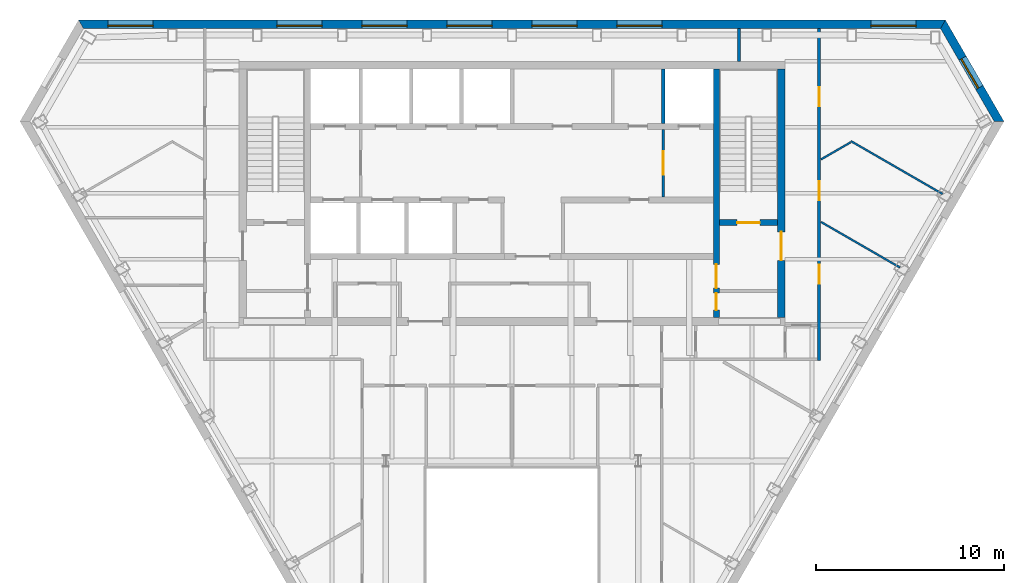
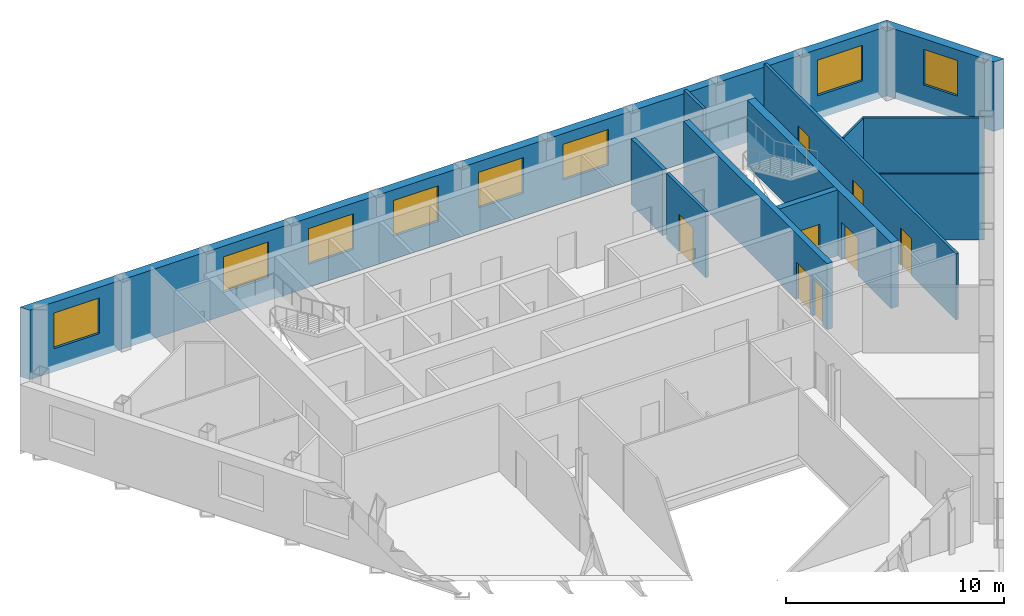
# One storey, part 7 of 10: 12 walls, 8 doors, 8 windows, 16 openings.
"""IFC4 building model written with IfcOpenShell, lengths in metres."""

from ifc_helpers import new_model, si_unit, direction, frame, frame_2d, origin, place, context, subcontext, project, spatial, polyline, rectangle, outline, extrude, material, layer, layer_set, type_object, element, fill, save


model = new_model("IFC4")

# Units and contexts
model_context = context("Model", 3, precision=1e-05, world=origin(), true_north=direction((0.0, 1.0)))
body_context = subcontext(model_context, "Body", "Model", "MODEL_VIEW")
ifc_project = project(units=[si_unit("LENGTHUNIT", "METRE"), si_unit("AREAUNIT", "SQUARE_METRE"), si_unit("VOLUMEUNIT", "CUBIC_METRE"), si_unit("PLANEANGLEUNIT", "RADIAN"), si_unit("MASSUNIT", "GRAM", prefix="KILO")], contexts=[model_context])

# Site, building, storey
site_placement = place(None, origin())
site = spatial("IfcSite", under=ifc_project, at=site_placement, CompositionType="ELEMENT")
building_placement = place(site_placement, origin())
building = spatial("IfcBuilding", under=site, at=building_placement, Name="Njiva Tower", CompositionType="ELEMENT")
storey_placement = place(building_placement, frame((0.0, 0.0, 245.4)))
storey = spatial("IfcBuildingStorey", under=building, at=storey_placement, Name="L55", CompositionType="ELEMENT", Elevation=245.4)

# Wall, openings, doors
ifc_material_1 = material(Name="Concrete C40/50", Category="concrete")
ifc_layer_1 = layer(ifc_material_1, 0.3)
ifc_layer_set_1 = layer_set([ifc_layer_1], Name="Concrete C40/50")
wall_type_1 = type_object("IfcWallType", Name="WT10 Stair enclosure wall 300", PredefinedType="SHEAR", material=ifc_layer_set_1)
wall_1_placement = place(storey_placement, frame((10.85, 4.4, 0.0), z_axis=(0.0, 0.0, 1.0), x_axis=(0.0, 1.0, 0.0)))
wall_1 = element("IfcWall", 1, at=wall_1_placement, inside=storey, type_object=wall_type_1, Name="Stair wall east inner", PredefinedType="SHEAR", context=body_context, shape_type="SweptSolid", body=[
    extrude(rectangle(XDim=13.2, YDim=0.3, at=frame_2d((6.6, 0.0))), origin(), (0.0, 0.0, 1.0), 3.7),
])
opening_1_placement = place(wall_1_placement, frame((1.575, 0.0, 0.0)))
opening_1 = element("IfcOpeningElement", 2, at=opening_1_placement, cuts=wall_1, Name="Opening S18-D920", PredefinedType="OPENING", context=body_context, shape_type="SweptSolid", body=[
    extrude(rectangle(XDim=1.25, YDim=2.1, at=frame_2d((0.625, 1.05))), frame((0.0, 0.16, 0.0), z_axis=(0.0, -1.0, 0.0), x_axis=(1.0, 0.0, 0.0)), (0.0, 0.0, 1.0), 0.32),
])
opening_2_placement = place(wall_1_placement, frame((0.4, 0.0, 0.0)))
opening_2 = element("IfcOpeningElement", 3, at=opening_2_placement, cuts=wall_1, Name="Opening S18-D922", PredefinedType="OPENING", context=body_context, shape_type="SweptSolid", body=[
    extrude(rectangle(XDim=0.9, YDim=2.1, at=frame_2d((0.45, 1.05))), frame((0.0, 0.16, 0.0), z_axis=(0.0, -1.0, 0.0), x_axis=(1.0, 0.0, 0.0)), (0.0, 0.0, 1.0), 0.32),
])
ifc_material_2 = material(Name="Steel door, painted", Category="steel")
door_type_1 = type_object("IfcDoorType", Name="D13 Steel door 900x2100", OperationType="SINGLE_SWING_LEFT", PredefinedType="DOOR", material=ifc_material_2)
door_1_placement = place(opening_2_placement, origin())
door_1 = element("IfcDoor", 4, at=door_1_placement, inside=storey, type_object=door_type_1, Name="Breakout room door", OperationType="SINGLE_SWING_LEFT", OverallHeight=2.1, OverallWidth=0.9, PredefinedType="DOOR", context=body_context, shape_type="SweptSolid", body=[
    extrude(rectangle(XDim=0.9, YDim=2.1, at=frame_2d((0.45, 1.05))), frame((0.0, 0.025, 0.0), z_axis=(0.0, -1.0, 0.0), x_axis=(1.0, 0.0, 0.0)), (0.0, 0.0, 1.0), 0.05),
])
fill(opening_2, door_1)
ifc_material_3 = material(Name="Glazed steel fire door", Category="steel")
door_type_2 = type_object("IfcDoorType", Name="D8 Vestibule corridor door 1250x2100 glazed", OperationType="SINGLE_SWING_LEFT", PredefinedType="DOOR", material=ifc_material_3)
door_2_placement = place(opening_1_placement, origin())
door_2 = element("IfcDoor", 5, at=door_2_placement, inside=storey, type_object=door_type_2, Name="Stair vestibule corridor door", OperationType="SINGLE_SWING_RIGHT", OverallHeight=2.1, OverallWidth=1.25, PredefinedType="DOOR", context=body_context, shape_type="SweptSolid", body=[
    extrude(rectangle(XDim=1.25, YDim=2.1, at=frame_2d((0.625, 1.05))), frame((0.0, 0.025, 0.0), z_axis=(0.0, -1.0, 0.0), x_axis=(1.0, 0.0, 0.0)), (0.0, 0.0, 1.0), 0.05),
])
fill(opening_1, door_2)

# Wall, opening, door
wall_2_placement = place(storey_placement, frame((11.0, 9.45, 0.0), z_axis=(0.0, 0.0, 1.0), x_axis=(1.0, 0.0, 0.0)))
wall_2 = element("IfcWall", 6, at=wall_2_placement, inside=storey, type_object=wall_type_1, Name="Stair B south wall", PredefinedType="SHEAR", context=body_context, shape_type="SweptSolid", body=[
    extrude(rectangle(XDim=3.1, YDim=0.3, at=frame_2d((1.55, 0.0))), origin(), (0.0, 0.0, 1.0), 3.7),
])
opening_3_placement = place(wall_2_placement, frame((0.95, 0.0, 0.0)))
opening_3 = element("IfcOpeningElement", 7, at=opening_3_placement, cuts=wall_2, Name="Opening S18-D919", PredefinedType="OPENING", context=body_context, shape_type="SweptSolid", body=[
    extrude(rectangle(XDim=1.2, YDim=2.1, at=frame_2d((0.6, 1.05))), frame((0.0, 0.16, 0.0), z_axis=(0.0, -1.0, 0.0), x_axis=(1.0, 0.0, 0.0)), (0.0, 0.0, 1.0), 0.32),
])
door_type_3 = type_object("IfcDoorType", Name="D7 Stair vestibule door 1200x2100 glazed", OperationType="SINGLE_SWING_LEFT", PredefinedType="DOOR", material=ifc_material_3)
door_3_placement = place(opening_3_placement, origin())
door_3 = element("IfcDoor", 8, at=door_3_placement, inside=storey, type_object=door_type_3, Name="Stair B door", OperationType="SINGLE_SWING_LEFT", OverallHeight=2.1, OverallWidth=1.2, PredefinedType="DOOR", context=body_context, shape_type="SweptSolid", body=[
    extrude(rectangle(XDim=1.2, YDim=2.1, at=frame_2d((0.6, 1.05))), frame((0.0, 0.025, 0.0), z_axis=(0.0, -1.0, 0.0), x_axis=(1.0, 0.0, 0.0)), (0.0, 0.0, 1.0), 0.05),
])
fill(opening_3, door_3)

ifc_material_4 = material(Name="Concrete C60/75", Category="concrete")
ifc_layer_2 = layer(ifc_material_4, 0.4)
ifc_layer_set_2 = layer_set([ifc_layer_2], Name="Concrete C60/75")
wall_type_2 = type_object("IfcWallType", Name="WT11 Core wall 400", PredefinedType="SHEAR", material=ifc_layer_set_2)
wall_3_placement = place(storey_placement, frame((14.3, 4.4, 0.0), z_axis=(0.0, 0.0, 1.0), x_axis=(0.0, 1.0, 0.0)))
wall_3 = element("IfcWall", 9, at=wall_3_placement, inside=storey, type_object=wall_type_2, Name="Core wall east", PredefinedType="SHEAR", context=body_context, shape_type="SweptSolid", body=[
    extrude(rectangle(XDim=13.2, YDim=0.4, at=frame_2d((6.6, 0.0))), origin(), (0.0, 0.0, 1.0), 3.7),
])
opening_4_placement = place(wall_3_placement, frame((3.05, 0.0, 0.0)))
opening_4 = element("IfcOpeningElement", 10, at=opening_4_placement, cuts=wall_3, Name="Opening S18-D921", PredefinedType="OPENING", context=body_context, shape_type="SweptSolid", body=[
    extrude(rectangle(XDim=1.5, YDim=2.1, at=frame_2d((0.75, 1.05))), frame((0.0, 0.21, 0.0), z_axis=(0.0, -1.0, 0.0), x_axis=(1.0, 0.0, 0.0)), (0.0, 0.0, 1.0), 0.42),
])
door_type_4 = type_object("IfcDoorType", Name="D10 Exit door double 1500x2100 glazed", OperationType="DOUBLE_DOOR_SINGLE_SWING", PredefinedType="DOOR", material=ifc_material_3)
door_4_placement = place(opening_4_placement, origin())
door_4 = element("IfcDoor", 11, at=door_4_placement, inside=storey, type_object=door_type_4, Name="Stair B corridor door", OperationType="DOUBLE_DOOR_SINGLE_SWING", OverallHeight=2.1, OverallWidth=1.5, PredefinedType="DOOR", context=body_context, shape_type="SweptSolid", body=[
    extrude(rectangle(XDim=1.5, YDim=2.1, at=frame_2d((0.75, 1.05))), frame((0.0, 0.025, 0.0), z_axis=(0.0, -1.0, 0.0), x_axis=(1.0, 0.0, 0.0)), (0.0, 0.0, 1.0), 0.05),
])
fill(opening_4, door_4)

ifc_material_5 = material(Name="Blockwork", Category="masonry")
ifc_layer_3 = layer(ifc_material_5, 0.15)
ifc_layer_set_3 = layer_set([ifc_layer_3], Name="Blockwork")
wall_type_3 = type_object("IfcWallType", Name="WT2 Lobby partition 150", PredefinedType="PARTITIONING", material=ifc_layer_set_3)
wall_4_placement = place(storey_placement, frame((8.025, 10.8, 0.0), z_axis=(0.0, 0.0, 1.0), x_axis=(0.0, 1.0, 0.0)))
wall_4 = element("IfcWall", 12, at=wall_4_placement, inside=storey, type_object=wall_type_3, Name="Firefighting lobby wall B", PredefinedType="PARTITIONING", context=body_context, shape_type="SweptSolid", body=[
    extrude(rectangle(XDim=3.6, YDim=0.15, at=frame_2d((1.8, 0.0))), origin(), (0.0, 0.0, 1.0), 3.7),
])
opening_5_placement = place(wall_4_placement, frame((1.175, 0.0, 0.0)))
opening_5 = element("IfcOpeningElement", 13, at=opening_5_placement, cuts=wall_4, Name="Opening S18-D918", PredefinedType="OPENING", context=body_context, shape_type="SweptSolid", body=[
    extrude(rectangle(XDim=1.25, YDim=2.1, at=frame_2d((0.625, 1.05))), frame((0.0, 0.085, 0.0), z_axis=(0.0, -1.0, 0.0), x_axis=(1.0, 0.0, 0.0)), (0.0, 0.0, 1.0), 0.17),
])
door_5_placement = place(opening_5_placement, origin())
door_5 = element("IfcDoor", 14, at=door_5_placement, inside=storey, type_object=door_type_2, Name="Stair vestibule corridor door", OperationType="SINGLE_SWING_LEFT", OverallHeight=2.1, OverallWidth=1.25, PredefinedType="DOOR", context=body_context, shape_type="SweptSolid", body=[
    extrude(rectangle(XDim=1.25, YDim=2.1, at=frame_2d((0.625, 1.05))), frame((0.0, 0.025, 0.0), z_axis=(0.0, -1.0, 0.0), x_axis=(1.0, 0.0, 0.0)), (0.0, 0.0, 1.0), 0.05),
])
fill(opening_5, door_5)

# Walls
ifc_material_6 = material(Name="Gypsum board on steel studs", Category="gypsum")
ifc_layer_4 = layer(ifc_material_6, 0.1)
ifc_layer_set_4 = layer_set([ifc_layer_4], Name="Gypsum board on steel studs")
wall_type_4 = type_object("IfcWallType", Name="WT20 Gypsum partition 100", PredefinedType="PARTITIONING", material=ifc_layer_set_4)
wall_5_placement = place(storey_placement, frame((16.4, 12.803, 0.0), z_axis=(0.0, 0.0, 1.0), x_axis=(0.866341220787, 0.499452589508, 0.0)))
element("IfcWall", 15, at=wall_5_placement, inside=storey, type_object=wall_type_4, Name="Partition S18-P031", PredefinedType="PARTITIONING", context=body_context, shape_type="SweptSolid", body=[
    extrude(rectangle(XDim=1.818, YDim=0.1, at=frame_2d((0.909, 0.0))), origin(), (0.0, 0.0, 1.0), 3.7),
])
wall_6_placement = place(storey_placement, frame((16.4, 9.482, 0.0), z_axis=(0.0, 0.0, 1.0), x_axis=(0.866085797004, -0.499895381282, 0.0)))
element("IfcWall", 16, at=wall_6_placement, inside=storey, type_object=wall_type_4, Name="Partition S18-P032", PredefinedType="PARTITIONING", context=body_context, shape_type="SweptSolid", body=[
    extrude(rectangle(XDim=4.839, YDim=0.1, at=frame_2d((2.4195, 0.0))), origin(), (0.0, 0.0, 1.0), 3.7),
])
wall_7_placement = place(storey_placement, frame((17.991, 13.77, 0.0), z_axis=(0.0, 0.0, 1.0), x_axis=(0.866182615826, -0.499727601839, 0.0)))
element("IfcWall", 17, at=wall_7_placement, inside=storey, type_object=wall_type_4, Name="Partition S18-P033", PredefinedType="PARTITIONING", context=body_context, shape_type="SweptSolid", body=[
    extrude(rectangle(XDim=5.6051, YDim=0.1, at=frame_2d((2.8026, 0.0))), origin(), (0.0, 0.0, 1.0), 3.7),
])
ifc_layer_5 = layer(ifc_material_6, 0.15)
ifc_layer_set_5 = layer_set([ifc_layer_5], Name="Gypsum board on steel studs")
wall_type_5 = type_object("IfcWallType", Name="WT21 Compartment wall 150", PredefinedType="PARTITIONING", material=ifc_layer_set_5)
wall_8_placement = place(storey_placement, frame((12.05, 18.0, 0.0), z_axis=(0.0, 0.0, 1.0), x_axis=(0.0, 1.0, 0.0)))
element("IfcWall", 18, at=wall_8_placement, inside=storey, type_object=wall_type_5, Name="Partition S18-P027", PredefinedType="PARTITIONING", context=body_context, shape_type="SweptSolid", body=[
    extrude(rectangle(XDim=1.75, YDim=0.15, at=frame_2d((0.875, 0.0))), origin(), (0.0, 0.0, 1.0), 3.7),
])

# Wall, openings, doors
wall_9_placement = place(storey_placement, frame((16.3, 2.125, 0.0), z_axis=(0.0, 0.0, 1.0), x_axis=(0.0, 1.0, 0.0)))
wall_9 = element("IfcWall", 19, at=wall_9_placement, inside=storey, type_object=wall_type_5, Name="Partition S18-P030", PredefinedType="PARTITIONING", context=body_context, shape_type="SweptSolid", body=[
    extrude(rectangle(XDim=17.622, YDim=0.15, at=frame_2d((8.811, 0.0))), origin(), (0.0, 0.0, 1.0), 3.7),
])
opening_6_placement = place(wall_9_placement, frame((4.088, 0.0, 0.0)))
opening_6 = element("IfcOpeningElement", 20, at=opening_6_placement, cuts=wall_9, Name="Opening S18-D020", PredefinedType="OPENING", context=body_context, shape_type="SweptSolid", body=[
    extrude(rectangle(XDim=1.0, YDim=2.1, at=frame_2d((0.5, 1.05))), frame((0.0, 0.085, 0.0), z_axis=(0.0, -1.0, 0.0), x_axis=(1.0, 0.0, 0.0)), (0.0, 0.0, 1.0), 0.17),
])
opening_7_placement = place(wall_9_placement, frame((8.517, 0.0, 0.0)))
opening_7 = element("IfcOpeningElement", 21, at=opening_7_placement, cuts=wall_9, Name="Opening S18-D021", PredefinedType="OPENING", context=body_context, shape_type="SweptSolid", body=[
    extrude(rectangle(XDim=1.0, YDim=2.1, at=frame_2d((0.5, 1.05))), frame((0.0, 0.085, 0.0), z_axis=(0.0, -1.0, 0.0), x_axis=(1.0, 0.0, 0.0)), (0.0, 0.0, 1.0), 0.17),
])
opening_8_placement = place(wall_9_placement, frame((13.496, 0.0, 0.0)))
opening_8 = element("IfcOpeningElement", 22, at=opening_8_placement, cuts=wall_9, Name="Opening S18-D022", PredefinedType="OPENING", context=body_context, shape_type="SweptSolid", body=[
    extrude(rectangle(XDim=1.0, YDim=2.1, at=frame_2d((0.5, 1.05))), frame((0.0, 0.085, 0.0), z_axis=(0.0, -1.0, 0.0), x_axis=(1.0, 0.0, 0.0)), (0.0, 0.0, 1.0), 0.17),
])
ifc_material_7 = material(Name="Steel fire door set", Category="steel")
door_type_5 = type_object("IfcDoorType", Name="D37 Fire door 1000x2100", OperationType="SINGLE_SWING_LEFT", PredefinedType="DOOR", material=ifc_material_7)
door_6_placement = place(opening_6_placement, origin())
door_6 = element("IfcDoor", 23, at=door_6_placement, inside=storey, type_object=door_type_5, Name="Door S18-D020", OperationType="SINGLE_SWING_LEFT", OverallHeight=2.1, OverallWidth=1.0, PredefinedType="DOOR", context=body_context, shape_type="SweptSolid", body=[
    extrude(rectangle(XDim=1.0, YDim=2.1, at=frame_2d((0.5, 1.05))), frame((0.0, 0.025, 0.0), z_axis=(0.0, -1.0, 0.0), x_axis=(1.0, 0.0, 0.0)), (0.0, 0.0, 1.0), 0.05),
])
fill(opening_6, door_6)
door_7_placement = place(opening_7_placement, origin())
door_7 = element("IfcDoor", 24, at=door_7_placement, inside=storey, type_object=door_type_5, Name="Door S18-D021", OperationType="SINGLE_SWING_RIGHT", OverallHeight=2.1, OverallWidth=1.0, PredefinedType="DOOR", context=body_context, shape_type="SweptSolid", body=[
    extrude(rectangle(XDim=1.0, YDim=2.1, at=frame_2d((0.5, 1.05))), frame((0.0, 0.025, 0.0), z_axis=(0.0, -1.0, 0.0), x_axis=(1.0, 0.0, 0.0)), (0.0, 0.0, 1.0), 0.05),
])
fill(opening_7, door_7)
door_8_placement = place(opening_8_placement, origin())
door_8 = element("IfcDoor", 25, at=door_8_placement, inside=storey, type_object=door_type_5, Name="Door S18-D022", OperationType="SINGLE_SWING_RIGHT", OverallHeight=2.1, OverallWidth=1.0, PredefinedType="DOOR", context=body_context, shape_type="SweptSolid", body=[
    extrude(rectangle(XDim=1.0, YDim=2.1, at=frame_2d((0.5, 1.05))), frame((0.0, 0.025, 0.0), z_axis=(0.0, -1.0, 0.0), x_axis=(1.0, 0.0, 0.0)), (0.0, 0.0, 1.0), 0.05),
])
fill(opening_8, door_8)

# Wall
ifc_layer_6 = layer(ifc_material_1, 0.2)
ifc_layer_set_6 = layer_set([ifc_layer_6], Name="Concrete C40/50")
wall_type_6 = type_object("IfcWallType", Name="WT6 Lift shaft wall 200", PredefinedType="SHEAR", material=ifc_layer_set_6)
wall_10_placement = place(storey_placement, frame((8.025, 14.7, 0.0), z_axis=(0.0, 0.0, 1.0), x_axis=(0.0, 1.0, 0.0)))
element("IfcWall", 26, at=wall_10_placement, inside=storey, type_object=wall_type_6, Name="Shaft wall CN7", PredefinedType="SHEAR", context=body_context, shape_type="SweptSolid", body=[
    extrude(rectangle(XDim=2.9, YDim=0.2, at=frame_2d((1.45, 0.0))), origin(), (0.0, 0.0, 1.0), 3.7),
])

# Wall, openings, windows
ifc_material_8 = material(Name="Brick masonry", Category="masonry")
ifc_layer_7 = layer(ifc_material_8, 0.45)
ifc_layer_set_7 = layer_set([ifc_layer_7], Name="Brick masonry")
wall_type_7 = type_object("IfcWallType", Name="WT90 Brick pier and spandrel wall 450", PredefinedType="SOLIDWALL", material=ifc_layer_set_7)
wall_11_placement = place(storey_placement, frame((22.8751, 19.975, -0.4), z_axis=(0.0, 0.0, 1.0), x_axis=(-1.0, 0.0, 0.0)))
wall_11 = element("IfcWall", 27, at=wall_11_placement, inside=storey, type_object=wall_type_7, Name="Facade wall N", PredefinedType="SOLIDWALL", context=body_context, shape_type="SweptSolid", body=[
    extrude(outline(polyline([(-0.1299, -0.225), (45.8801, -0.225), (45.6203, 0.225), (0.1299, 0.225), (-0.1299, -0.225)])), origin(), (0.0, 0.0, 1.0), 3.9),
])
opening_9_placement = place(wall_11_placement, frame((1.4247, 0.0, 1.3)))
opening_9 = element("IfcOpeningElement", 28, at=opening_9_placement, cuts=wall_11, Name="Opening S18-W01", PredefinedType="OPENING", context=body_context, shape_type="SweptSolid", body=[
    extrude(rectangle(XDim=2.4, YDim=2.0, at=frame_2d((1.2, 1.0))), frame((0.0, 0.235, 0.0), z_axis=(0.0, -1.0, 0.0), x_axis=(1.0, 0.0, 0.0)), (0.0, 0.0, 1.0), 0.47),
])
opening_10_placement = place(wall_11_placement, frame((14.9122, 0.0, 1.3)))
opening_10 = element("IfcOpeningElement", 29, at=opening_10_placement, cuts=wall_11, Name="Opening S18-W02", PredefinedType="OPENING", context=body_context, shape_type="SweptSolid", body=[
    extrude(rectangle(XDim=2.4, YDim=2.0, at=frame_2d((1.2, 1.0))), frame((0.0, 0.235, 0.0), z_axis=(0.0, -1.0, 0.0), x_axis=(1.0, 0.0, 0.0)), (0.0, 0.0, 1.0), 0.47),
])
opening_11_placement = place(wall_11_placement, frame((19.4208, 0.0, 1.3)))
opening_11 = element("IfcOpeningElement", 30, at=opening_11_placement, cuts=wall_11, Name="Opening S18-W03", PredefinedType="OPENING", context=body_context, shape_type="SweptSolid", body=[
    extrude(rectangle(XDim=2.4, YDim=2.0, at=frame_2d((1.2, 1.0))), frame((0.0, 0.235, 0.0), z_axis=(0.0, -1.0, 0.0), x_axis=(1.0, 0.0, 0.0)), (0.0, 0.0, 1.0), 0.47),
])
opening_12_placement = place(wall_11_placement, frame((23.9294, 0.0, 1.3)))
opening_12 = element("IfcOpeningElement", 31, at=opening_12_placement, cuts=wall_11, Name="Opening S18-W04", PredefinedType="OPENING", context=body_context, shape_type="SweptSolid", body=[
    extrude(rectangle(XDim=2.4, YDim=2.0, at=frame_2d((1.2, 1.0))), frame((0.0, 0.235, 0.0), z_axis=(0.0, -1.0, 0.0), x_axis=(1.0, 0.0, 0.0)), (0.0, 0.0, 1.0), 0.47),
])
opening_13_placement = place(wall_11_placement, frame((28.438, 0.0, 1.3)))
opening_13 = element("IfcOpeningElement", 32, at=opening_13_placement, cuts=wall_11, Name="Opening S18-W05", PredefinedType="OPENING", context=body_context, shape_type="SweptSolid", body=[
    extrude(rectangle(XDim=2.4, YDim=2.0, at=frame_2d((1.2, 1.0))), frame((0.0, 0.235, 0.0), z_axis=(0.0, -1.0, 0.0), x_axis=(1.0, 0.0, 0.0)), (0.0, 0.0, 1.0), 0.47),
])
opening_14_placement = place(wall_11_placement, frame((32.9466, 0.0, 1.3)))
opening_14 = element("IfcOpeningElement", 33, at=opening_14_placement, cuts=wall_11, Name="Opening S18-W06", PredefinedType="OPENING", context=body_context, shape_type="SweptSolid", body=[
    extrude(rectangle(XDim=2.4, YDim=2.0, at=frame_2d((1.2, 1.0))), frame((0.0, 0.235, 0.0), z_axis=(0.0, -1.0, 0.0), x_axis=(1.0, 0.0, 0.0)), (0.0, 0.0, 1.0), 0.47),
])
opening_15_placement = place(wall_11_placement, frame((41.9255, 0.0, 1.3)))
opening_15 = element("IfcOpeningElement", 34, at=opening_15_placement, cuts=wall_11, Name="Opening S18-W07", PredefinedType="OPENING", context=body_context, shape_type="SweptSolid", body=[
    extrude(rectangle(XDim=2.4, YDim=2.0, at=frame_2d((1.2, 1.0))), frame((0.0, 0.235, 0.0), z_axis=(0.0, -1.0, 0.0), x_axis=(1.0, 0.0, 0.0)), (0.0, 0.0, 1.0), 0.47),
])
ifc_material_9 = material(Name="Clear glazing in aluminium frame", Category="aluminium")
window_type_1 = type_object("IfcWindowType", Name="W90 Deep-set window 2400x2000", PartitioningType="SINGLE_PANEL", PredefinedType="WINDOW", material=ifc_material_9)
window_1_placement = place(opening_9_placement, origin())
window_1 = element("IfcWindow", 35, at=window_1_placement, inside=storey, type_object=window_type_1, Name="Window", OverallHeight=2.0, OverallWidth=2.4, PartitioningType="SINGLE_PANEL", PredefinedType="WINDOW", context=body_context, shape_type="SweptSolid", body=[
    extrude(rectangle(XDim=2.4, YDim=2.0, at=frame_2d((1.2, 1.0))), frame((0.0, 0.105, 0.0), z_axis=(0.0, -1.0, 0.0), x_axis=(1.0, 0.0, 0.0)), (0.0, 0.0, 1.0), 0.06),
])
fill(opening_9, window_1)
window_2_placement = place(opening_10_placement, origin())
window_2 = element("IfcWindow", 36, at=window_2_placement, inside=storey, type_object=window_type_1, Name="Window", OverallHeight=2.0, OverallWidth=2.4, PartitioningType="SINGLE_PANEL", PredefinedType="WINDOW", context=body_context, shape_type="SweptSolid", body=[
    extrude(rectangle(XDim=2.4, YDim=2.0, at=frame_2d((1.2, 1.0))), frame((0.0, 0.105, 0.0), z_axis=(0.0, -1.0, 0.0), x_axis=(1.0, 0.0, 0.0)), (0.0, 0.0, 1.0), 0.06),
])
fill(opening_10, window_2)
window_3_placement = place(opening_11_placement, origin())
window_3 = element("IfcWindow", 37, at=window_3_placement, inside=storey, type_object=window_type_1, Name="Window", OverallHeight=2.0, OverallWidth=2.4, PartitioningType="SINGLE_PANEL", PredefinedType="WINDOW", context=body_context, shape_type="SweptSolid", body=[
    extrude(rectangle(XDim=2.4, YDim=2.0, at=frame_2d((1.2, 1.0))), frame((0.0, 0.105, 0.0), z_axis=(0.0, -1.0, 0.0), x_axis=(1.0, 0.0, 0.0)), (0.0, 0.0, 1.0), 0.06),
])
fill(opening_11, window_3)
window_4_placement = place(opening_12_placement, origin())
window_4 = element("IfcWindow", 38, at=window_4_placement, inside=storey, type_object=window_type_1, Name="Window", OverallHeight=2.0, OverallWidth=2.4, PartitioningType="SINGLE_PANEL", PredefinedType="WINDOW", context=body_context, shape_type="SweptSolid", body=[
    extrude(rectangle(XDim=2.4, YDim=2.0, at=frame_2d((1.2, 1.0))), frame((0.0, 0.105, 0.0), z_axis=(0.0, -1.0, 0.0), x_axis=(1.0, 0.0, 0.0)), (0.0, 0.0, 1.0), 0.06),
])
fill(opening_12, window_4)
window_5_placement = place(opening_13_placement, origin())
window_5 = element("IfcWindow", 39, at=window_5_placement, inside=storey, type_object=window_type_1, Name="Window", OverallHeight=2.0, OverallWidth=2.4, PartitioningType="SINGLE_PANEL", PredefinedType="WINDOW", context=body_context, shape_type="SweptSolid", body=[
    extrude(rectangle(XDim=2.4, YDim=2.0, at=frame_2d((1.2, 1.0))), frame((0.0, 0.105, 0.0), z_axis=(0.0, -1.0, 0.0), x_axis=(1.0, 0.0, 0.0)), (0.0, 0.0, 1.0), 0.06),
])
fill(opening_13, window_5)
window_6_placement = place(opening_14_placement, origin())
window_6 = element("IfcWindow", 40, at=window_6_placement, inside=storey, type_object=window_type_1, Name="Window", OverallHeight=2.0, OverallWidth=2.4, PartitioningType="SINGLE_PANEL", PredefinedType="WINDOW", context=body_context, shape_type="SweptSolid", body=[
    extrude(rectangle(XDim=2.4, YDim=2.0, at=frame_2d((1.2, 1.0))), frame((0.0, 0.105, 0.0), z_axis=(0.0, -1.0, 0.0), x_axis=(1.0, 0.0, 0.0)), (0.0, 0.0, 1.0), 0.06),
])
fill(opening_14, window_6)
window_7_placement = place(opening_15_placement, origin())
window_7 = element("IfcWindow", 41, at=window_7_placement, inside=storey, type_object=window_type_1, Name="Window", OverallHeight=2.0, OverallWidth=2.4, PartitioningType="SINGLE_PANEL", PredefinedType="WINDOW", context=body_context, shape_type="SweptSolid", body=[
    extrude(rectangle(XDim=2.4, YDim=2.0, at=frame_2d((1.2, 1.0))), frame((0.0, 0.105, 0.0), z_axis=(0.0, -1.0, 0.0), x_axis=(1.0, 0.0, 0.0)), (0.0, 0.0, 1.0), 0.06),
])
fill(opening_15, window_7)

# Wall, opening, window
ifc_material_10 = material(Name="Brick masonry, buff", Category="masonry")
ifc_layer_8 = layer(ifc_material_10, 0.45)
ifc_layer_set_8 = layer_set([ifc_layer_8], Name="Brick masonry, buff")
wall_type_8 = type_object("IfcWallType", Name="WT94 Brick pier and spandrel wall 450, buff", PredefinedType="SOLIDWALL", material=ifc_layer_set_8)
wall_12_placement = place(storey_placement, frame((25.8464, 14.8198, -0.4), z_axis=(0.0, 0.0, 1.0), x_axis=(-0.500001772576, 0.866024380385, 0.0)))
wall_12 = element("IfcWall", 42, at=wall_12_placement, inside=storey, type_object=wall_type_8, Name="Facade wall NE", PredefinedType="SOLIDWALL", context=body_context, shape_type="SweptSolid", body=[
    extrude(outline(polyline([(-0.1299, -0.225), (6.0801, -0.225), (5.8203, 0.225), (0.1299, 0.225), (-0.1299, -0.225)])), origin(), (0.0, 0.0, 1.0), 3.9),
])
opening_16_placement = place(wall_12_placement, frame((2.0751, 0.0, 1.3)))
opening_16 = element("IfcOpeningElement", 43, at=opening_16_placement, cuts=wall_12, Name="Opening S18-W29", PredefinedType="OPENING", context=body_context, shape_type="SweptSolid", body=[
    extrude(rectangle(XDim=1.8, YDim=2.0, at=frame_2d((0.9, 1.0))), frame((0.0, 0.235, 0.0), z_axis=(0.0, -1.0, 0.0), x_axis=(1.0, 0.0, 0.0)), (0.0, 0.0, 1.0), 0.47),
])
window_type_2 = type_object("IfcWindowType", Name="W94 Deep-set window 1800x2000", PartitioningType="SINGLE_PANEL", PredefinedType="WINDOW", material=ifc_material_9)
window_8_placement = place(opening_16_placement, origin())
window_8 = element("IfcWindow", 44, at=window_8_placement, inside=storey, type_object=window_type_2, Name="Window", OverallHeight=2.0, OverallWidth=1.8, PartitioningType="SINGLE_PANEL", PredefinedType="WINDOW", context=body_context, shape_type="SweptSolid", body=[
    extrude(rectangle(XDim=1.8, YDim=2.0, at=frame_2d((0.9, 1.0))), frame((0.0, 0.105, 0.0), z_axis=(0.0, -1.0, 0.0), x_axis=(1.0, 0.0, 0.0)), (0.0, 0.0, 1.0), 0.06),
])
fill(opening_16, window_8)

save(model, "model.ifc")
